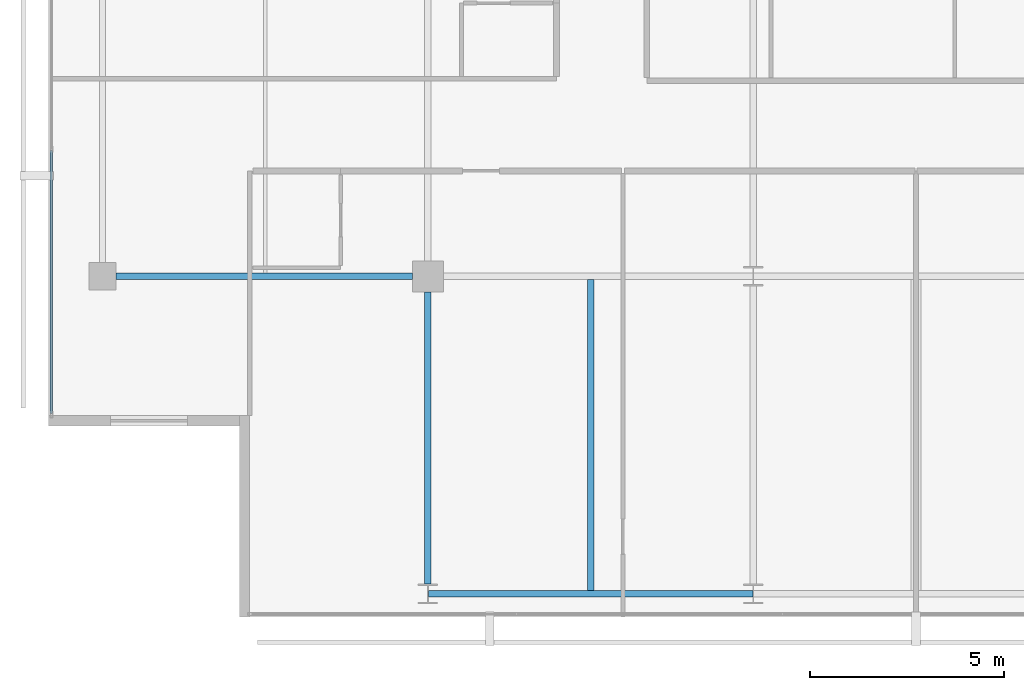
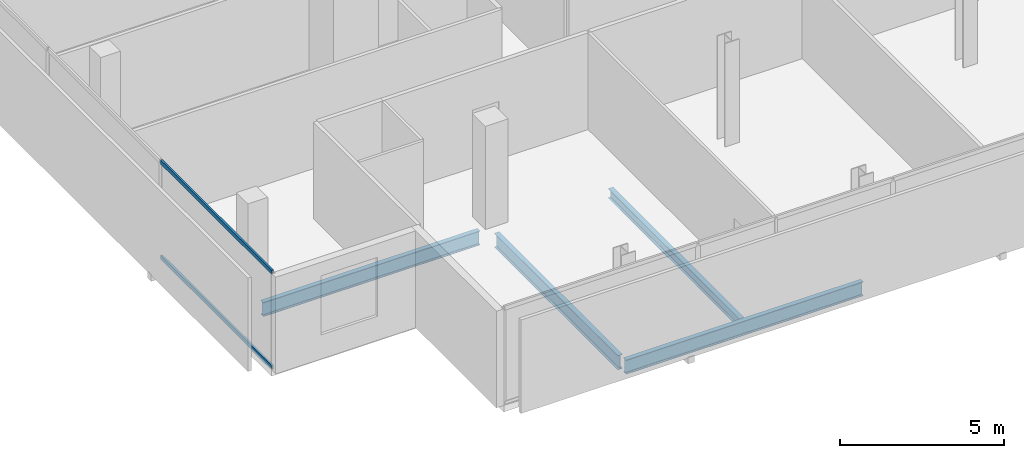
# One storey, part 3 of 25: 4 beams, 2 members, 1 element without a shape of its own.
"""IFC4 building model written with IfcOpenShell, lengths in metres."""

from ifc_helpers import new_model, si_unit, direction, frame, origin, origin_2d, place, context, subcontext, project, spatial, hollow_rectangle, i_section, extrude, material, layer, layer_set, material_profile, profile_set, type_object, element, aggregate, save


model = new_model("IFC4")

# Units and contexts
model_context = context("Model", 3, precision=1e-05, world=origin(), true_north=direction((0.0, 1.0)))
body_context = subcontext(model_context, "Body", "Model", "MODEL_VIEW")
ifc_project = project(units=[si_unit("LENGTHUNIT", "METRE"), si_unit("AREAUNIT", "SQUARE_METRE"), si_unit("VOLUMEUNIT", "CUBIC_METRE"), si_unit("PLANEANGLEUNIT", "RADIAN"), si_unit("MASSUNIT", "GRAM", prefix="KILO")], contexts=[model_context])

# Site, building, storey
site_placement = place(None, origin())
site = spatial("IfcSite", under=ifc_project, at=site_placement, CompositionType="ELEMENT")
building_placement = place(site_placement, origin())
building = spatial("IfcBuilding", under=site, at=building_placement, Name="Maruvema Waterfront Hotel and Observation Tower", CompositionType="ELEMENT")
storey_placement = place(building_placement, frame((0.0, 0.0, 277.89990234375)))
storey = spatial("IfcBuildingStorey", under=building, at=storey_placement, Name="L68", CompositionType="ELEMENT", Elevation=277.89990234375)

# Curtain wall, members
ifc_material_1 = material(Name="Anodised bronze aluminium and solar-control low-E IGU", Category="aluminium")
ifc_layer = layer(ifc_material_1, 0.159912109375, Name="Zone 3 Champagne Inner Thermal Curtain Wall System CW-04")
ifc_layer_set = layer_set([ifc_layer], Name="Anodised bronze aluminium and solar-control low-E IGU")
curtain_wall_type = type_object("IfcCurtainWallType", Name="Zone 3 Champagne Inner Thermal Curtain Wall System CW-04", PredefinedType="USERDEFINED", material=ifc_layer_set)
curtain_wall_placement = place(storey_placement, origin())
curtain_wall = element("IfcCurtainWall", 1, at=curtain_wall_placement, inside=storey, type_object=curtain_wall_type, Name="L68 Curtain Wall CW-L68-W", ObjectType="UNITISED CURTAIN WALL", PredefinedType="USERDEFINED")
ifc_material_2 = material(Name="Anodised architectural bronze aluminium", Category="aluminium")
ifc_material_profile_1 = material_profile(ifc_material_2, hollow_rectangle(XDim=0.070068359375, YDim=0.14990234375, WallThickness=0.00390625, at=origin_2d()), Name="ALU-T70x150")
ifc_profile_set_1 = profile_set([ifc_material_profile_1], Name="Anodised architectural bronze aluminium")
member_type = type_object("IfcMemberType", Name="Curtain Wall Horizontal Transom ALU-T70x150", PredefinedType="USERDEFINED", material=ifc_profile_set_1)
member_1_placement = place(storey_placement, frame((15.47998046875, 21.25, 0.030029296875), z_axis=(0.0, -1.0, 0.0), x_axis=(1.0, 0.0, 0.0)))
member_1 = element("IfcMember", 2, at=member_1_placement, type_object=member_type, Name="CW-04 transom 5.1", ObjectType="TRANSOM", PredefinedType="USERDEFINED", context=body_context, shape_type="SweptSolid", body=[
    extrude(hollow_rectangle(XDim=0.070068359375, YDim=0.14990234375, WallThickness=0.00390625, at=origin_2d()), origin(), (0.0, 0.0, 1.0), 6.7900390625),
])
member_2_placement = place(storey_placement, frame((15.47998046875, 21.25, 3.580078125), z_axis=(0.0, -1.0, 0.0), x_axis=(1.0, 0.0, 0.0)))
member_2 = element("IfcMember", 3, at=member_2_placement, type_object=member_type, Name="CW-04 transom 5.2", ObjectType="TRANSOM", PredefinedType="USERDEFINED", context=body_context, shape_type="SweptSolid", body=[
    extrude(hollow_rectangle(XDim=0.070068359375, YDim=0.14990234375, WallThickness=0.00390625, at=origin_2d()), origin(), (0.0, 0.0, 1.0), 6.7900390625),
])
aggregate(curtain_wall, [member_1, member_2])

# Beams
ifc_material_3 = material(Name="Steel ASTM A572 Grade 50", Category="steel")
ifc_material_profile_2 = material_profile(ifc_material_3, i_section(OverallWidth=0.166015625, OverallDepth=0.529052734375, WebThickness=0.009765625, FlangeThickness=0.013671875, FilletRadius=0.014892578125, at=origin_2d()), Name="W530x74.0")
ifc_profile_set_2 = profile_set([ifc_material_profile_2], Name="Steel ASTM A572 Grade 50")
beam_type_1 = type_object("IfcBeamType", Name="Primary Floor Girder W530x74.0", PredefinedType="BEAM", material=ifc_profile_set_2)
beam_1_placement = place(storey_placement, frame((25.2109375, 9.800048828125, -0.50439453125), z_axis=(1.0, 0.0, 0.0), x_axis=(0.0, 1.0, 0.0)))
element("IfcBeam", 4, at=beam_1_placement, inside=storey, type_object=beam_type_1, Name="L68 Floor Girder EW-01", PredefinedType="BEAM", context=body_context, shape_type="SweptSolid", body=[
    extrude(i_section(OverallWidth=0.166015625, OverallDepth=0.529052734375, WebThickness=0.009765625, FlangeThickness=0.013671875, FilletRadius=0.014892578125, at=origin_2d()), origin(), (0.0, 0.0, 1.0), 8.378173828125),
])
beam_2_placement = place(storey_placement, frame((17.14990234375, 18.0, -0.50439453125), z_axis=(1.0, 0.0, 0.0), x_axis=(0.0, 1.0, 0.0)))
element("IfcBeam", 5, at=beam_2_placement, inside=storey, type_object=beam_type_1, Name="L68 Floor Girder EW-04", PredefinedType="BEAM", context=body_context, shape_type="SweptSolid", body=[
    extrude(i_section(OverallWidth=0.166015625, OverallDepth=0.529052734375, WebThickness=0.009765625, FlangeThickness=0.013671875, FilletRadius=0.014892578125, at=origin_2d()), origin(), (0.0, 0.0, 1.0), 7.650146484375),
])
beam_3_placement = place(storey_placement, frame((25.199951171875, 10.050048828125, -0.50439453125), z_axis=(0.0, 1.0, 0.0), x_axis=(-1.0, 0.0, 0.0)))
element("IfcBeam", 6, at=beam_3_placement, inside=storey, type_object=beam_type_1, Name="L68 Floor Girder NS-04", PredefinedType="BEAM", context=body_context, shape_type="SweptSolid", body=[
    extrude(i_section(OverallWidth=0.166015625, OverallDepth=0.529052734375, WebThickness=0.009765625, FlangeThickness=0.013671875, FilletRadius=0.014892578125, at=origin_2d()), origin(), (0.0, 0.0, 1.0), 7.550048828125),
])
ifc_material_4 = material(Name="Steel ASTM A572 Grade 50", Category="steel")
ifc_material_profile_3 = material_profile(ifc_material_4, i_section(OverallWidth=0.1708984375, OverallDepth=0.35498046875, WebThickness=0.007080078125, FlangeThickness=0.01171875, FilletRadius=0.014892578125, at=origin_2d()), Name="W360x51.0")
ifc_profile_set_3 = profile_set([ifc_material_profile_3], Name="Steel ASTM A572 Grade 50")
beam_type_2 = type_object("IfcBeamType", Name="Secondary Floor Joist W360x51.0", PredefinedType="JOIST", material=ifc_profile_set_3)
beam_4_placement = place(storey_placement, frame((29.39990234375, 9.883056640625, -0.41748046875), z_axis=(0.0, 1.0, 0.0), x_axis=(-1.0, 0.0, 0.0)))
element("IfcBeam", 7, at=beam_4_placement, inside=storey, type_object=beam_type_2, Name="L68 Secondary Floor Joist JS-04", PredefinedType="JOIST", context=body_context, shape_type="SweptSolid", body=[
    extrude(i_section(OverallWidth=0.1708984375, OverallDepth=0.35498046875, WebThickness=0.007080078125, FlangeThickness=0.01171875, FilletRadius=0.014892578125, at=origin_2d()), origin(), (0.0, 0.0, 1.0), 8.033935546875),
])

save(model, "model.ifc")
